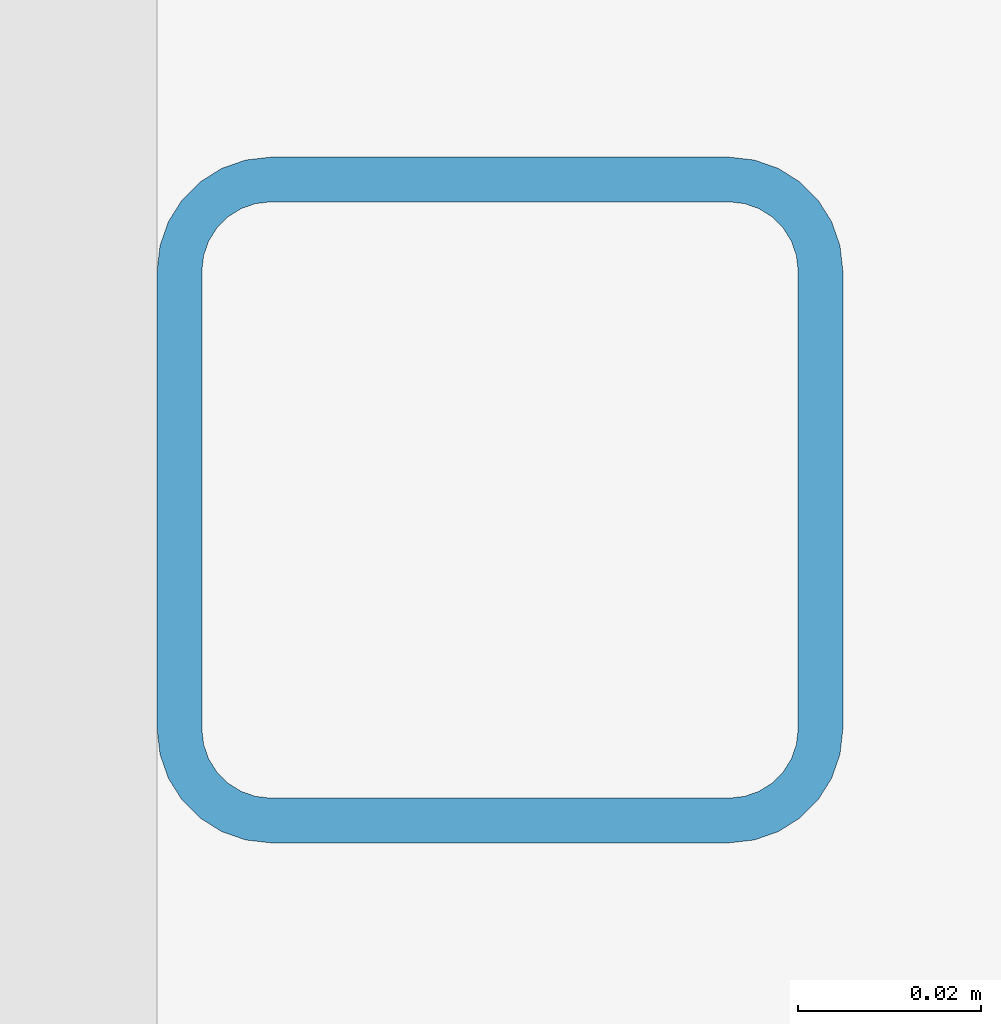
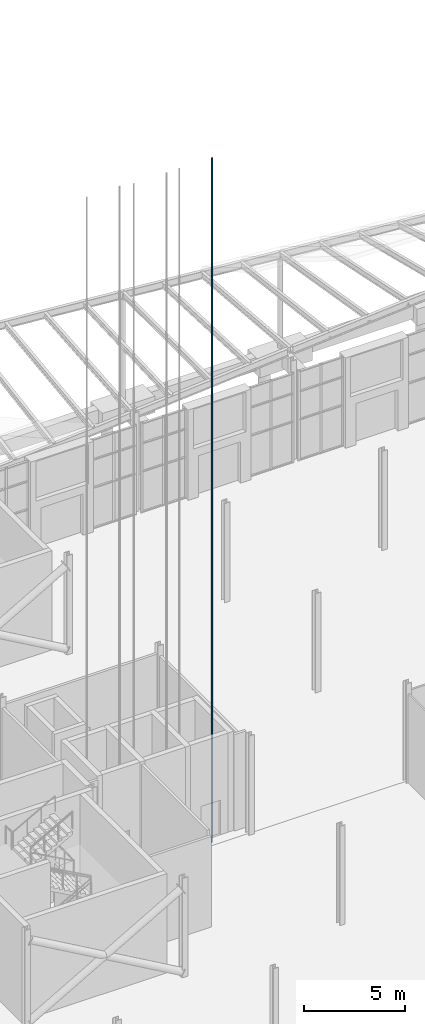
# One storey, part 60 of 139: 1 member.
"""IFC4 building model written with IfcOpenShell, lengths in metres."""

from ifc_helpers import new_model, si_unit, direction, frame, origin, origin_2d, place, context, subcontext, project, spatial, hollow_rectangle, extrude, material, material_profile, profile_set, type_object, element, save


model = new_model("IFC4")

# Units and contexts
model_context = context("Model", 3, precision=1e-05, world=origin(), true_north=direction((0.0, 1.0)))
body_context = subcontext(model_context, "Body", "Model", "MODEL_VIEW")
ifc_project = project(units=[si_unit("LENGTHUNIT", "METRE"), si_unit("AREAUNIT", "SQUARE_METRE"), si_unit("VOLUMEUNIT", "CUBIC_METRE"), si_unit("PLANEANGLEUNIT", "RADIAN"), si_unit("MASSUNIT", "GRAM", prefix="KILO")], contexts=[model_context])

# Site, building, storey
site_placement = place(None, origin())
site = spatial("IfcSite", under=ifc_project, at=site_placement, CompositionType="ELEMENT")
building_placement = place(site_placement, origin())
building = spatial("IfcBuilding", under=site, at=building_placement, Name="Shorebreak Coast Museum", CompositionType="ELEMENT")
storey_placement = place(building_placement, origin())
storey = spatial("IfcBuildingStorey", under=building, at=storey_placement, Name="L00", CompositionType="ELEMENT", Elevation=0.0)

# Member
ifc_material = material(Name="Steel Grade C450L0", Category="steel")
ifc_material_profile = material_profile(ifc_material, hollow_rectangle(XDim=0.074951171875, YDim=0.074951171875, WallThickness=0.0048828125, InnerFilletRadius=0.007568359375, OuterFilletRadius=0.012451171875, at=origin_2d()), Name="75x75x5.0 SHS")
ifc_profile_set = profile_set([ifc_material_profile], Name="Steel Grade C450L0")
member_type = type_object("IfcMemberType", Name="Lift guide rail 75x75x5.0 SHS", PredefinedType="POST", material=ifc_profile_set)
member_placement = place(storey_placement, frame((71.03759765625, 92.10009765625, -1.5), z_axis=(0.0, 0.0, 1.0), x_axis=(1.0, 0.0, 0.0)))
element("IfcMember", 1, at=member_placement, inside=storey, type_object=member_type, Name="Lift P2 guide rail", PredefinedType="POST", context=body_context, shape_type="SweptSolid", body=[
    extrude(hollow_rectangle(XDim=0.074951171875, YDim=0.074951171875, WallThickness=0.0048828125, InnerFilletRadius=0.007568359375, OuterFilletRadius=0.012451171875, at=origin_2d()), origin(), (0.0, 0.0, 1.0), 41.39990234375),
])

save(model, "model.ifc")
